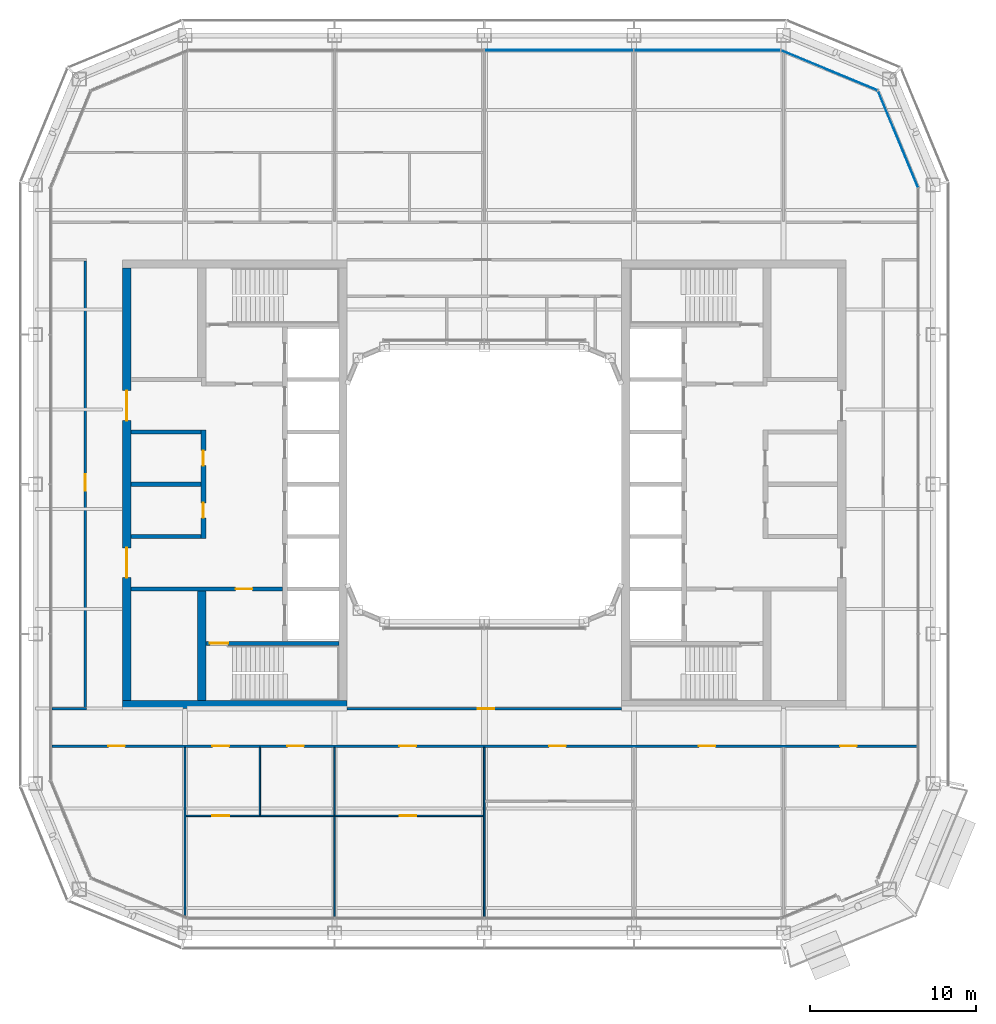
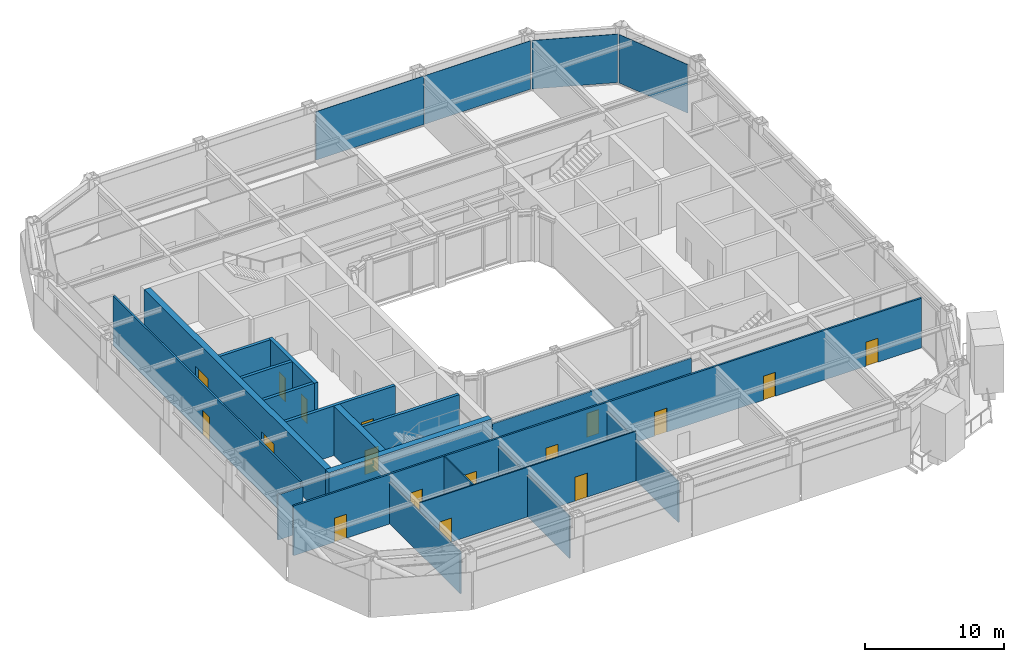
# One storey, part 12 of 22: 19 walls, 17 doors, 4 plates, 17 openings, 3 elements without a shape of their own.
"""IFC4 building model written with IfcOpenShell, lengths in metres."""

from ifc_helpers import new_model, si_unit, direction, frame, frame_2d, origin, origin_2d, place, context, subcontext, project, spatial, rectangle, extrude, material, layer, layer_set, type_object, element, fill, aggregate, save


model = new_model("IFC4")

# Units and contexts
model_context = context("Model", 3, precision=1e-05, world=origin(), true_north=direction((0.0, 1.0)))
body_context = subcontext(model_context, "Body", "Model", "MODEL_VIEW")
ifc_project = project(units=[si_unit("LENGTHUNIT", "METRE"), si_unit("AREAUNIT", "SQUARE_METRE"), si_unit("VOLUMEUNIT", "CUBIC_METRE"), si_unit("PLANEANGLEUNIT", "RADIAN"), si_unit("MASSUNIT", "GRAM", prefix="KILO")], contexts=[model_context])

# Site, building, storey
site_placement = place(None, origin())
site = spatial("IfcSite", under=ifc_project, at=site_placement, CompositionType="ELEMENT")
building_placement = place(site_placement, origin())
building = spatial("IfcBuilding", under=site, at=building_placement, Name="Siwar Civic Tower", CompositionType="ELEMENT")
storey_placement = place(building_placement, frame((0.0, 0.0, 219.699951171875)))
storey = spatial("IfcBuildingStorey", under=building, at=storey_placement, Name="L47", CompositionType="ELEMENT", Elevation=219.699951171875)

# Curtain wall, plates
ifc_material_1 = material(Name="Aluminium and glass", Category="aluminium")
ifc_layer_1 = layer(ifc_material_1, 0.179931640625)
ifc_layer_set_1 = layer_set([ifc_layer_1], Name="Aluminium and glass")
curtain_wall_type_1 = type_object("IfcCurtainWallType", Name="ENV-CW-C", PredefinedType="NOTDEFINED", material=ifc_layer_set_1)
curtain_wall_1_placement = place(storey_placement, origin())
curtain_wall_1 = element("IfcCurtainWall", 1, at=curtain_wall_1_placement, inside=storey, type_object=curtain_wall_type_1, Name="Curtain wall C N", PredefinedType="NOTDEFINED")
ifc_material_2 = material(Name="Glass clear laminated", Category="glass")
ifc_layer_2 = layer(ifc_material_2, 0.031982421875)
ifc_layer_set_2 = layer_set([ifc_layer_2], Name="Glass clear laminated")
plate_type_1 = type_object("IfcPlateType", Name="ENV-PANEL-C", PredefinedType="CURTAIN_PANEL", material=ifc_layer_set_2)
plate_1_placement = place(storey_placement, frame((13.410400390625, 26.10009765625, 0.10009765625), z_axis=(0.0, 0.0, 1.0), x_axis=(-1.0, 0.0, 0.0)))
plate_1 = element("IfcPlate", 2, at=plate_1_placement, type_object=plate_type_1, Name="Curtain panel C N 1", PredefinedType="CURTAIN_PANEL", context=body_context, shape_type="SweptSolid", body=[
    extrude(rectangle(XDim=8.760986328125, YDim=0.031982421875, at=origin_2d()), origin(), (0.0, 0.0, 1.0), 4.25),
])
plate_2_placement = place(storey_placement, frame((4.5, 26.10009765625, 0.10009765625), z_axis=(0.0, 0.0, 1.0), x_axis=(-1.0, 0.0, 0.0)))
plate_2 = element("IfcPlate", 3, at=plate_2_placement, type_object=plate_type_1, Name="Curtain panel C N 2", PredefinedType="CURTAIN_PANEL", context=body_context, shape_type="SweptSolid", body=[
    extrude(rectangle(XDim=8.93994140625, YDim=0.031982421875, at=origin_2d()), origin(), (0.0, 0.0, 1.0), 4.25),
])
aggregate(curtain_wall_1, [plate_1, plate_2])

# Curtain wall, plate
ifc_material_3 = material(Name="Aluminium clad insulated panel", Category="aluminium")
ifc_layer_3 = layer(ifc_material_3, 0.179931640625)
ifc_layer_set_3 = layer_set([ifc_layer_3], Name="Aluminium clad insulated panel")
curtain_wall_type_2 = type_object("IfcCurtainWallType", Name="ENV-CW-CX", PredefinedType="NOTDEFINED", material=ifc_layer_set_3)
curtain_wall_2_placement = place(storey_placement, origin())
curtain_wall_2 = element("IfcCurtainWall", 4, at=curtain_wall_2_placement, inside=storey, type_object=curtain_wall_type_2, Name="Curtain wall C NE1", PredefinedType="NOTDEFINED")
ifc_material_4 = material(Name="Aluminium clad insulated panel", Category="aluminium")
ifc_layer_4 = layer(ifc_material_4, 0.031982421875)
ifc_layer_set_4 = layer_set([ifc_layer_4], Name="Aluminium clad insulated panel")
plate_type_2 = type_object("IfcPlateType", Name="ENV-PANEL-CX", PredefinedType="CURTAIN_PANEL", material=ifc_layer_set_4)
plate_3_placement = place(storey_placement, frame((24.90185546875, 20.71337890625, 0.10009765625), z_axis=(0.0, 0.0, 1.0), x_axis=(-0.382683432365, 0.923879532511, 0.0)))
plate_3 = element("IfcPlate", 5, at=plate_3_placement, type_object=plate_type_2, Name="Curtain panel C NE1 1", PredefinedType="CURTAIN_PANEL", context=body_context, shape_type="SweptSolid", body=[
    extrude(rectangle(XDim=6.20166015625, YDim=0.031982421875, at=origin_2d()), origin(), (0.0, 0.0, 1.0), 4.25),
])
aggregate(curtain_wall_2, [plate_3])

curtain_wall_3_placement = place(storey_placement, origin())
curtain_wall_3 = element("IfcCurtainWall", 6, at=curtain_wall_3_placement, inside=storey, type_object=curtain_wall_type_2, Name="Curtain wall C NE2", PredefinedType="NOTDEFINED")
plate_4_placement = place(storey_placement, frame((20.78271484375, 24.873291015625, 0.10009765625), z_axis=(0.0, 0.0, 1.0), x_axis=(-0.923879532511, 0.382683432365, 0.0)))
plate_4 = element("IfcPlate", 7, at=plate_4_placement, type_object=plate_type_2, Name="Curtain panel C NE2 1", PredefinedType="CURTAIN_PANEL", context=body_context, shape_type="SweptSolid", body=[
    extrude(rectangle(XDim=6.20166015625, YDim=0.031982421875, at=origin_2d()), origin(), (0.0, 0.0, 1.0), 4.25),
])
aggregate(curtain_wall_3, [plate_4])

# Wall, opening, door
ifc_material_5 = material(Name="Concrete C60/75", Category="concrete")
ifc_layer_5 = layer(ifc_material_5, 0.25)
ifc_layer_set_5 = layer_set([ifc_layer_5], Name="Concrete C60/75")
wall_type_1 = type_object("IfcWallType", Name="CORE-WALL-RC250", PredefinedType="SHEAR", material=ifc_layer_set_5)
wall_1_placement = place(storey_placement, frame((-12.14990234375, -6.300048828125, 0.0), z_axis=(0.0, 0.0, 1.0), x_axis=(-1.0, 0.0, 0.0)))
wall_1 = element("IfcWall", 8, at=wall_1_placement, inside=storey, type_object=wall_type_1, Name="Core wall W", PredefinedType="SHEAR", context=body_context, shape_type="SweptSolid", body=[
    extrude(rectangle(XDim=9.10009765625, YDim=0.25, at=frame_2d((4.550048828125, 0.0))), origin(), (0.0, 0.0, 1.0), 4.35009765625),
])
opening_1_placement = place(wall_1_placement, frame((1.800048828125, 0.0, 0.0)))
opening_1 = element("IfcOpeningElement", 9, at=opening_1_placement, cuts=wall_1, Name="Opening L47-CW02", PredefinedType="OPENING", context=body_context, shape_type="SweptSolid", body=[
    extrude(rectangle(XDim=1.0, YDim=2.10009765625, at=frame_2d((0.5, 1.050048828125))), frame((0.0, 0.135009765625, 0.0), z_axis=(0.0, -1.0, 0.0), x_axis=(1.0, 0.0, 0.0)), (0.0, 0.0, 1.0), 0.27001953125),
])
ifc_material_6 = material(Name="Steel door leaf", Category="steel")
door_type_1 = type_object("IfcDoorType", Name="CORE-DOOR-FD30S", OperationType="SINGLE_SWING_LEFT", PredefinedType="DOOR", material=ifc_material_6)
door_1_placement = place(opening_1_placement, origin())
door_1 = element("IfcDoor", 10, at=door_1_placement, inside=storey, type_object=door_type_1, Name="Service lobby door L47-CW02", OperationType="SINGLE_SWING_RIGHT", OverallHeight=2.10009765625, OverallWidth=1.0, PredefinedType="DOOR", context=body_context, shape_type="SweptSolid", body=[
    extrude(rectangle(XDim=1.0, YDim=2.10009765625, at=frame_2d((0.5, 1.050048828125))), frame((0.0, 0.02490234375, 0.0), z_axis=(0.0, -1.0, 0.0), x_axis=(1.0, 0.0, 0.0)), (0.0, 0.0, 1.0), 0.050048828125),
])
fill(opening_1, door_1)

# Walls
for number, where, z_axis, x_axis, name in (
    (11, (-17.050048828125, 0.0, 0.0), (0.0, 0.0, 1.0), (-1.0, 0.0, 0.0), "Core wall W"),
    (12, (-17.050048828125, 3.14990234375, 0.0), (0.0, 0.0, 1.0), (-1.0, 0.0, 0.0), "Core wall W"),
    (13, (-17.050048828125, -3.14990234375, 0.0), (0.0, 0.0, 1.0), (-1.0, 0.0, 0.0), "Core wall W"),
):
    element("IfcWall", number, at=place(storey_placement, frame(where, z_axis=z_axis, x_axis=x_axis)), inside=storey, type_object=wall_type_1, Name=name, PredefinedType="SHEAR", context=body_context, shape_type="SweptSolid", body=[
        extrude(rectangle(XDim=4.199951171875, YDim=0.25, at=frame_2d((2.10009765625, 0.0))), origin(), (0.0, 0.0, 1.0), 4.35009765625),
    ])

# Wall, opening, door
wall_2_placement = place(storey_placement, frame((-8.75, -9.574951171875, 0.0), z_axis=(0.0, 0.0, 1.0), x_axis=(-1.0, 0.0, 0.0)))
wall_2 = element("IfcWall", 14, at=wall_2_placement, inside=storey, type_object=wall_type_1, Name="Core wall W", PredefinedType="SHEAR", context=body_context, shape_type="SweptSolid", body=[
    extrude(rectangle(XDim=8.0, YDim=0.25, at=frame_2d((4.0, 0.0))), origin(), (0.0, 0.0, 1.0), 4.35009765625),
])
opening_2_placement = place(wall_2_placement, frame((6.64990234375, 0.0, 0.0)))
opening_2 = element("IfcOpeningElement", 15, at=opening_2_placement, cuts=wall_2, Name="Opening L47-CW04", PredefinedType="OPENING", context=body_context, shape_type="SweptSolid", body=[
    extrude(rectangle(XDim=1.10009765625, YDim=2.10009765625, at=frame_2d((0.550048828125, 1.050048828125))), frame((0.0, 0.135009765625, 0.0), z_axis=(0.0, -1.0, 0.0), x_axis=(1.0, 0.0, 0.0)), (0.0, 0.0, 1.0), 0.27001953125),
])
ifc_material_7 = material(Name="Steel door leaf", Category="steel")
door_type_2 = type_object("IfcDoorType", Name="CORE-DOOR-FD60S", OperationType="SINGLE_SWING_LEFT", PredefinedType="DOOR", material=ifc_material_7)
door_2_placement = place(opening_2_placement, origin())
door_2 = element("IfcDoor", 16, at=door_2_placement, inside=storey, type_object=door_type_2, Name="Stair door L47-CW04", OperationType="SINGLE_SWING_LEFT", OverallHeight=2.10009765625, OverallWidth=1.10009765625, PredefinedType="DOOR", context=body_context, shape_type="SweptSolid", body=[
    extrude(rectangle(XDim=1.10009765625, YDim=2.10009765625, at=frame_2d((0.550048828125, 1.050048828125))), frame((0.0, 0.02490234375, 0.0), z_axis=(0.0, -1.0, 0.0), x_axis=(1.0, 0.0, 0.0)), (0.0, 0.0, 1.0), 0.050048828125),
])
fill(opening_2, door_2)

# Wall, openings, doors
ifc_material_8 = material(Name="Concrete C60/75", Category="concrete")
ifc_layer_6 = layer(ifc_material_8, 0.300048828125)
ifc_layer_set_6 = layer_set([ifc_layer_6], Name="Concrete C60/75")
wall_type_2 = type_object("IfcWallType", Name="CORE-WALL-RC300", PredefinedType="SHEAR", material=ifc_layer_set_6)
wall_3_placement = place(storey_placement, frame((-16.89990234375, -3.27490234375, 0.0), z_axis=(0.0, 0.0, 1.0), x_axis=(0.0, 1.0, 0.0)))
wall_3 = element("IfcWall", 17, at=wall_3_placement, inside=storey, type_object=wall_type_2, Name="Core wall W", PredefinedType="SHEAR", context=body_context, shape_type="SweptSolid", body=[
    extrude(rectangle(XDim=6.5498046875, YDim=0.300048828125, at=frame_2d((3.27490234375, 0.0))), origin(), (0.0, 0.0, 1.0), 4.35009765625),
])
opening_3_placement = place(wall_3_placement, frame((1.25, 0.0, 0.0)))
opening_3 = element("IfcOpeningElement", 18, at=opening_3_placement, cuts=wall_3, Name="Opening L47-CW13", PredefinedType="OPENING", context=body_context, shape_type="SweptSolid", body=[
    extrude(rectangle(XDim=0.89990234375, YDim=2.10009765625, at=frame_2d((0.449951171875, 1.050048828125))), frame((0.0, 0.16015625, 0.0), z_axis=(0.0, -1.0, 0.0), x_axis=(1.0, 0.0, 0.0)), (0.0, 0.0, 1.0), 0.320068359375),
])
opening_4_placement = place(wall_3_placement, frame((4.39990234375, 0.0, 0.0)))
opening_4 = element("IfcOpeningElement", 19, at=opening_4_placement, cuts=wall_3, Name="Opening L47-CW14", PredefinedType="OPENING", context=body_context, shape_type="SweptSolid", body=[
    extrude(rectangle(XDim=0.89990234375, YDim=2.10009765625, at=frame_2d((0.449951171875, 1.050048828125))), frame((0.0, 0.16015625, 0.0), z_axis=(0.0, -1.0, 0.0), x_axis=(1.0, 0.0, 0.0)), (0.0, 0.0, 1.0), 0.320068359375),
])
ifc_material_9 = material(Name="Steel door leaf", Category="steel")
door_type_3 = type_object("IfcDoorType", Name="CORE-DOOR-ROOM", OperationType="SINGLE_SWING_LEFT", PredefinedType="DOOR", material=ifc_material_9)
door_3_placement = place(opening_3_placement, origin())
door_3 = element("IfcDoor", 20, at=door_3_placement, inside=storey, type_object=door_type_3, Name="Core room door L47-CW13", OperationType="SINGLE_SWING_LEFT", OverallHeight=2.10009765625, OverallWidth=0.89990234375, PredefinedType="DOOR", context=body_context, shape_type="SweptSolid", body=[
    extrude(rectangle(XDim=0.89990234375, YDim=2.10009765625, at=frame_2d((0.449951171875, 1.050048828125))), frame((0.0, 0.02490234375, 0.0), z_axis=(0.0, -1.0, 0.0), x_axis=(1.0, 0.0, 0.0)), (0.0, 0.0, 1.0), 0.050048828125),
])
fill(opening_3, door_3)
door_4_placement = place(opening_4_placement, origin())
door_4 = element("IfcDoor", 21, at=door_4_placement, inside=storey, type_object=door_type_3, Name="Core room door L47-CW14", OperationType="SINGLE_SWING_RIGHT", OverallHeight=2.10009765625, OverallWidth=0.89990234375, PredefinedType="DOOR", context=body_context, shape_type="SweptSolid", body=[
    extrude(rectangle(XDim=0.89990234375, YDim=2.10009765625, at=frame_2d((0.449951171875, 1.050048828125))), frame((0.0, 0.02490234375, 0.0), z_axis=(0.0, -1.0, 0.0), x_axis=(1.0, 0.0, 0.0)), (0.0, 0.0, 1.0), 0.050048828125),
])
fill(opening_4, door_4)

ifc_material_10 = material(Name="Concrete C60/75", Category="concrete")
ifc_layer_7 = layer(ifc_material_10, 0.5)
ifc_layer_set_7 = layer_set([ifc_layer_7], Name="Concrete C60/75")
wall_type_3 = type_object("IfcWallType", Name="CORE-WALL-RC500", PredefinedType="SHEAR", material=ifc_layer_set_7)
wall_4_placement = place(storey_placement, frame((-21.5, -13.0, 0.0), z_axis=(0.0, 0.0, 1.0), x_axis=(0.0, 1.0, 0.0)))
wall_4 = element("IfcWall", 22, at=wall_4_placement, inside=storey, type_object=wall_type_3, Name="Core wall W", PredefinedType="SHEAR", context=body_context, shape_type="SweptSolid", body=[
    extrude(rectangle(XDim=26.0, YDim=0.5, at=frame_2d((13.0, 0.0))), origin(), (0.0, 0.0, 1.0), 4.35009765625),
])
opening_5_placement = place(wall_4_placement, frame((16.824951171875, 0.0, 0.0)))
opening_5 = element("IfcOpeningElement", 23, at=opening_5_placement, cuts=wall_4, Name="Opening L47-CW05", PredefinedType="OPENING", context=body_context, shape_type="SweptSolid", body=[
    extrude(rectangle(XDim=1.800048828125, YDim=2.10009765625, at=frame_2d((0.89990234375, 1.050048828125))), frame((0.0, 0.260009765625, 0.0), z_axis=(0.0, -1.0, 0.0), x_axis=(1.0, 0.0, 0.0)), (0.0, 0.0, 1.0), 0.52001953125),
])
opening_6_placement = place(wall_4_placement, frame((7.375, 0.0, 0.0)))
opening_6 = element("IfcOpeningElement", 24, at=opening_6_placement, cuts=wall_4, Name="Opening L47-CW06", PredefinedType="OPENING", context=body_context, shape_type="SweptSolid", body=[
    extrude(rectangle(XDim=1.800048828125, YDim=2.10009765625, at=frame_2d((0.89990234375, 1.050048828125))), frame((0.0, 0.260009765625, 0.0), z_axis=(0.0, -1.0, 0.0), x_axis=(1.0, 0.0, 0.0)), (0.0, 0.0, 1.0), 0.52001953125),
])
ifc_material_11 = material(Name="Steel door leaf", Category="steel")
door_type_4 = type_object("IfcDoorType", Name="CORE-DOOR-PORT", OperationType="DOUBLE_DOOR_DOUBLE_SWING", PredefinedType="DOOR", material=ifc_material_11)
door_5_placement = place(opening_5_placement, origin())
door_5 = element("IfcDoor", 25, at=door_5_placement, inside=storey, type_object=door_type_4, Name="Core entrance door L47-CW05", OperationType="DOUBLE_DOOR_DOUBLE_SWING", OverallHeight=2.10009765625, OverallWidth=1.800048828125, PredefinedType="DOOR", context=body_context, shape_type="SweptSolid", body=[
    extrude(rectangle(XDim=1.800048828125, YDim=2.10009765625, at=frame_2d((0.89990234375, 1.050048828125))), frame((0.0, 0.02490234375, 0.0), z_axis=(0.0, -1.0, 0.0), x_axis=(1.0, 0.0, 0.0)), (0.0, 0.0, 1.0), 0.050048828125),
])
fill(opening_5, door_5)
door_6_placement = place(opening_6_placement, origin())
door_6 = element("IfcDoor", 26, at=door_6_placement, inside=storey, type_object=door_type_4, Name="Core entrance door L47-CW06", OperationType="DOUBLE_DOOR_DOUBLE_SWING", OverallHeight=2.10009765625, OverallWidth=1.800048828125, PredefinedType="DOOR", context=body_context, shape_type="SweptSolid", body=[
    extrude(rectangle(XDim=1.800048828125, YDim=2.10009765625, at=frame_2d((0.89990234375, 1.050048828125))), frame((0.0, 0.02490234375, 0.0), z_axis=(0.0, -1.0, 0.0), x_axis=(1.0, 0.0, 0.0)), (0.0, 0.0, 1.0), 0.050048828125),
])
fill(opening_6, door_6)

# Walls
wall_5_placement = place(storey_placement, frame((-17.0, -13.0, 0.0), z_axis=(0.0, 0.0, 1.0), x_axis=(0.0, 1.0, 0.0)))
element("IfcWall", 27, at=wall_5_placement, inside=storey, type_object=wall_type_3, Name="Core wall W", PredefinedType="SHEAR", context=body_context, shape_type="SweptSolid", body=[
    extrude(rectangle(XDim=6.574951171875, YDim=0.5, at=frame_2d((3.28759765625, 0.0))), origin(), (0.0, 0.0, 1.0), 4.35009765625),
])
wall_6_placement = place(storey_placement, frame((-8.25, -13.25, 0.0), z_axis=(0.0, 0.0, 1.0), x_axis=(-1.0, 0.0, 0.0)))
element("IfcWall", 28, at=wall_6_placement, inside=storey, type_object=wall_type_3, Name="Core wall W", PredefinedType="SHEAR", context=body_context, shape_type="SweptSolid", body=[
    extrude(rectangle(XDim=13.5, YDim=0.5, at=frame_2d((6.75, 0.0))), origin(), (0.0, 0.0, 1.0), 4.35009765625),
])

# Wall, openings, doors
ifc_material_12 = material(Name="Gypsum board on steel studs", Category="steel")
ifc_layer_8 = layer(ifc_material_12, 0.14990234375)
ifc_layer_set_8 = layer_set([ifc_layer_8], Name="Gypsum board on steel studs")
wall_type_4 = type_object("IfcWallType", Name="CORRIDOR PARTITION 150 EI 30", PredefinedType="PARTITIONING", material=ifc_layer_set_8)
wall_7_placement = place(storey_placement, frame((-26.010009765625, -15.75, 0.0), z_axis=(0.0, 0.0, 1.0), x_axis=(1.0, 0.0, 0.0)))
wall_7 = element("IfcWall", 29, at=wall_7_placement, inside=storey, type_object=wall_type_4, Name="L47/wall/P03", PredefinedType="PARTITIONING", context=body_context, shape_type="SweptSolid", body=[
    extrude(rectangle(XDim=52.02001953125, YDim=0.14990234375, at=frame_2d((26.010009765625, 0.0))), origin(), (0.0, 0.0, 1.0), 4.35009765625),
])
opening_7_placement = place(wall_7_placement, frame((9.659912109375, 0.0, 0.0)))
opening_7 = element("IfcOpeningElement", 30, at=opening_7_placement, cuts=wall_7, Name="Opening D1", PredefinedType="OPENING", context=body_context, shape_type="SweptSolid", body=[
    extrude(rectangle(XDim=1.0, YDim=2.10009765625, at=frame_2d((0.5, 1.050048828125))), frame((0.0, 0.0849609375, 0.0), z_axis=(0.0, -1.0, 0.0), x_axis=(1.0, 0.0, 0.0)), (0.0, 0.0, 1.0), 0.169921875),
])
opening_8_placement = place(wall_7_placement, frame((14.159912109375, 0.0, 0.0)))
opening_8 = element("IfcOpeningElement", 31, at=opening_8_placement, cuts=wall_7, Name="Opening D1", PredefinedType="OPENING", context=body_context, shape_type="SweptSolid", body=[
    extrude(rectangle(XDim=1.0, YDim=2.10009765625, at=frame_2d((0.5, 1.050048828125))), frame((0.0, 0.0849609375, 0.0), z_axis=(0.0, -1.0, 0.0), x_axis=(1.0, 0.0, 0.0)), (0.0, 0.0, 1.0), 0.169921875),
])
opening_9_placement = place(wall_7_placement, frame((20.909912109375, 0.0, 0.0)))
opening_9 = element("IfcOpeningElement", 32, at=opening_9_placement, cuts=wall_7, Name="Opening D1", PredefinedType="OPENING", context=body_context, shape_type="SweptSolid", body=[
    extrude(rectangle(XDim=1.0, YDim=2.10009765625, at=frame_2d((0.5, 1.050048828125))), frame((0.0, 0.0849609375, 0.0), z_axis=(0.0, -1.0, 0.0), x_axis=(1.0, 0.0, 0.0)), (0.0, 0.0, 1.0), 0.169921875),
])
opening_10_placement = place(wall_7_placement, frame((29.909912109375, 0.0, 0.0)))
opening_10 = element("IfcOpeningElement", 33, at=opening_10_placement, cuts=wall_7, Name="Opening D1", PredefinedType="OPENING", context=body_context, shape_type="SweptSolid", body=[
    extrude(rectangle(XDim=1.0, YDim=2.10009765625, at=frame_2d((0.5, 1.050048828125))), frame((0.0, 0.0849609375, 0.0), z_axis=(0.0, -1.0, 0.0), x_axis=(1.0, 0.0, 0.0)), (0.0, 0.0, 1.0), 0.169921875),
])
opening_11_placement = place(wall_7_placement, frame((38.909912109375, 0.0, 0.0)))
opening_11 = element("IfcOpeningElement", 34, at=opening_11_placement, cuts=wall_7, Name="Opening D1", PredefinedType="OPENING", context=body_context, shape_type="SweptSolid", body=[
    extrude(rectangle(XDim=1.0, YDim=2.10009765625, at=frame_2d((0.5, 1.050048828125))), frame((0.0, 0.0849609375, 0.0), z_axis=(0.0, -1.0, 0.0), x_axis=(1.0, 0.0, 0.0)), (0.0, 0.0, 1.0), 0.169921875),
])
opening_12_placement = place(wall_7_placement, frame((3.39990234375, 0.0, 0.0)))
opening_12 = element("IfcOpeningElement", 35, at=opening_12_placement, cuts=wall_7, Name="Opening D1", PredefinedType="OPENING", context=body_context, shape_type="SweptSolid", body=[
    extrude(rectangle(XDim=1.0, YDim=2.10009765625, at=frame_2d((0.5, 1.050048828125))), frame((0.0, 0.0849609375, 0.0), z_axis=(0.0, -1.0, 0.0), x_axis=(1.0, 0.0, 0.0)), (0.0, 0.0, 1.0), 0.169921875),
])
opening_13_placement = place(wall_7_placement, frame((47.409912109375, 0.0, 0.0)))
opening_13 = element("IfcOpeningElement", 36, at=opening_13_placement, cuts=wall_7, Name="Opening D1", PredefinedType="OPENING", context=body_context, shape_type="SweptSolid", body=[
    extrude(rectangle(XDim=1.0, YDim=2.10009765625, at=frame_2d((0.5, 1.050048828125))), frame((0.0, 0.0849609375, 0.0), z_axis=(0.0, -1.0, 0.0), x_axis=(1.0, 0.0, 0.0)), (0.0, 0.0, 1.0), 0.169921875),
])
ifc_material_13 = material(Name="Timber, painted", Category="wood")
door_type_5 = type_object("IfcDoorType", Name="DOOR 1000 X 2100 FD30", OperationType="SINGLE_SWING_LEFT", PredefinedType="DOOR", material=ifc_material_13)
door_7_placement = place(opening_7_placement, origin())
door_7 = element("IfcDoor", 37, at=door_7_placement, inside=storey, type_object=door_type_5, Name="L47-D09", OperationType="SINGLE_SWING_LEFT", OverallHeight=2.10009765625, OverallWidth=1.0, PredefinedType="DOOR", context=body_context, shape_type="SweptSolid", body=[
    extrude(rectangle(XDim=1.0, YDim=2.10009765625, at=frame_2d((0.5, 1.050048828125))), frame((0.0, 0.02490234375, 0.0), z_axis=(0.0, -1.0, 0.0), x_axis=(1.0, 0.0, 0.0)), (0.0, 0.0, 1.0), 0.050048828125),
])
fill(opening_7, door_7)
door_8_placement = place(opening_8_placement, origin())
door_8 = element("IfcDoor", 38, at=door_8_placement, inside=storey, type_object=door_type_5, Name="L47-D10", OperationType="SINGLE_SWING_RIGHT", OverallHeight=2.10009765625, OverallWidth=1.0, PredefinedType="DOOR", context=body_context, shape_type="SweptSolid", body=[
    extrude(rectangle(XDim=1.0, YDim=2.10009765625, at=frame_2d((0.5, 1.050048828125))), frame((0.0, 0.02490234375, 0.0), z_axis=(0.0, -1.0, 0.0), x_axis=(1.0, 0.0, 0.0)), (0.0, 0.0, 1.0), 0.050048828125),
])
fill(opening_8, door_8)
door_9_placement = place(opening_9_placement, origin())
door_9 = element("IfcDoor", 39, at=door_9_placement, inside=storey, type_object=door_type_5, Name="L47-D12", OperationType="SINGLE_SWING_RIGHT", OverallHeight=2.10009765625, OverallWidth=1.0, PredefinedType="DOOR", context=body_context, shape_type="SweptSolid", body=[
    extrude(rectangle(XDim=1.0, YDim=2.10009765625, at=frame_2d((0.5, 1.050048828125))), frame((0.0, 0.02490234375, 0.0), z_axis=(0.0, -1.0, 0.0), x_axis=(1.0, 0.0, 0.0)), (0.0, 0.0, 1.0), 0.050048828125),
])
fill(opening_9, door_9)
door_10_placement = place(opening_10_placement, origin())
door_10 = element("IfcDoor", 40, at=door_10_placement, inside=storey, type_object=door_type_5, Name="L47-D14", OperationType="SINGLE_SWING_RIGHT", OverallHeight=2.10009765625, OverallWidth=1.0, PredefinedType="DOOR", context=body_context, shape_type="SweptSolid", body=[
    extrude(rectangle(XDim=1.0, YDim=2.10009765625, at=frame_2d((0.5, 1.050048828125))), frame((0.0, 0.02490234375, 0.0), z_axis=(0.0, -1.0, 0.0), x_axis=(1.0, 0.0, 0.0)), (0.0, 0.0, 1.0), 0.050048828125),
])
fill(opening_10, door_10)
door_11_placement = place(opening_11_placement, origin())
door_11 = element("IfcDoor", 41, at=door_11_placement, inside=storey, type_object=door_type_5, Name="L47-D16", OperationType="SINGLE_SWING_RIGHT", OverallHeight=2.10009765625, OverallWidth=1.0, PredefinedType="DOOR", context=body_context, shape_type="SweptSolid", body=[
    extrude(rectangle(XDim=1.0, YDim=2.10009765625, at=frame_2d((0.5, 1.050048828125))), frame((0.0, 0.02490234375, 0.0), z_axis=(0.0, -1.0, 0.0), x_axis=(1.0, 0.0, 0.0)), (0.0, 0.0, 1.0), 0.050048828125),
])
fill(opening_11, door_11)
door_12_placement = place(opening_12_placement, origin())
door_12 = element("IfcDoor", 42, at=door_12_placement, inside=storey, type_object=door_type_5, Name="L47-D20", OperationType="SINGLE_SWING_RIGHT", OverallHeight=2.10009765625, OverallWidth=1.0, PredefinedType="DOOR", context=body_context, shape_type="SweptSolid", body=[
    extrude(rectangle(XDim=1.0, YDim=2.10009765625, at=frame_2d((0.5, 1.050048828125))), frame((0.0, 0.02490234375, 0.0), z_axis=(0.0, -1.0, 0.0), x_axis=(1.0, 0.0, 0.0)), (0.0, 0.0, 1.0), 0.050048828125),
])
fill(opening_12, door_12)
door_13_placement = place(opening_13_placement, origin())
door_13 = element("IfcDoor", 43, at=door_13_placement, inside=storey, type_object=door_type_5, Name="L47-D21", OperationType="SINGLE_SWING_LEFT", OverallHeight=2.10009765625, OverallWidth=1.0, PredefinedType="DOOR", context=body_context, shape_type="SweptSolid", body=[
    extrude(rectangle(XDim=1.0, YDim=2.10009765625, at=frame_2d((0.5, 1.050048828125))), frame((0.0, 0.02490234375, 0.0), z_axis=(0.0, -1.0, 0.0), x_axis=(1.0, 0.0, 0.0)), (0.0, 0.0, 1.0), 0.050048828125),
])
fill(opening_13, door_13)

# Wall
wall_8_placement = place(storey_placement, frame((-26.010009765625, -13.5, 0.0), z_axis=(0.0, 0.0, 1.0), x_axis=(1.0, 0.0, 0.0)))
element("IfcWall", 44, at=wall_8_placement, inside=storey, type_object=wall_type_4, Name="L47/wall/P04", PredefinedType="PARTITIONING", context=body_context, shape_type="SweptSolid", body=[
    extrude(rectangle(XDim=2.0849609375, YDim=0.14990234375, at=frame_2d((1.04248046875, 0.0))), origin(), (0.0, 0.0, 1.0), 3.949951171875),
])

# Wall, opening, door
wall_9_placement = place(storey_placement, frame((-8.25, -13.5, 0.0), z_axis=(0.0, 0.0, 1.0), x_axis=(1.0, 0.0, 0.0)))
wall_9 = element("IfcWall", 45, at=wall_9_placement, inside=storey, type_object=wall_type_4, Name="L47/wall/P05", PredefinedType="PARTITIONING", context=body_context, shape_type="SweptSolid", body=[
    extrude(rectangle(XDim=16.5, YDim=0.14990234375, at=frame_2d((8.25, 0.0))), origin(), (0.0, 0.0, 1.0), 3.949951171875),
])
opening_14_placement = place(wall_9_placement, frame((7.85009765625, 0.0, 0.0)))
opening_14 = element("IfcOpeningElement", 46, at=opening_14_placement, cuts=wall_9, Name="Opening D1", PredefinedType="OPENING", context=body_context, shape_type="SweptSolid", body=[
    extrude(rectangle(XDim=1.0, YDim=2.10009765625, at=frame_2d((0.5, 1.050048828125))), frame((0.0, 0.0849609375, 0.0), z_axis=(0.0, -1.0, 0.0), x_axis=(1.0, 0.0, 0.0)), (0.0, 0.0, 1.0), 0.169921875),
])
door_14_placement = place(opening_14_placement, origin())
door_14 = element("IfcDoor", 47, at=door_14_placement, inside=storey, type_object=door_type_5, Name="L47-D29", OperationType="SINGLE_SWING_LEFT", OverallHeight=2.10009765625, OverallWidth=1.0, PredefinedType="DOOR", context=body_context, shape_type="SweptSolid", body=[
    extrude(rectangle(XDim=1.0, YDim=2.10009765625, at=frame_2d((0.5, 1.050048828125))), frame((0.0, 0.02490234375, 0.0), z_axis=(0.0, -1.0, 0.0), x_axis=(1.0, 0.0, 0.0)), (0.0, 0.0, 1.0), 0.050048828125),
])
fill(opening_14, door_14)

wall_10_placement = place(storey_placement, frame((-24.0, -13.425048828125, 0.0), z_axis=(0.0, 0.0, 1.0), x_axis=(0.0, 1.0, 0.0)))
wall_10 = element("IfcWall", 48, at=wall_10_placement, inside=storey, type_object=wall_type_4, Name="L47/wall/P14", PredefinedType="PARTITIONING", context=body_context, shape_type="SweptSolid", body=[
    extrude(rectangle(XDim=26.85009765625, YDim=0.14990234375, at=frame_2d((13.425048828125, 0.0))), origin(), (0.0, 0.0, 1.0), 4.35009765625),
])
opening_15_placement = place(wall_10_placement, frame((13.02490234375, 0.0, 0.0)))
opening_15 = element("IfcOpeningElement", 49, at=opening_15_placement, cuts=wall_10, Name="Opening D1", PredefinedType="OPENING", context=body_context, shape_type="SweptSolid", body=[
    extrude(rectangle(XDim=1.0, YDim=2.10009765625, at=frame_2d((0.5, 1.050048828125))), frame((0.0, 0.0849609375, 0.0), z_axis=(0.0, -1.0, 0.0), x_axis=(1.0, 0.0, 0.0)), (0.0, 0.0, 1.0), 0.169921875),
])
door_15_placement = place(opening_15_placement, origin())
door_15 = element("IfcDoor", 50, at=door_15_placement, inside=storey, type_object=door_type_5, Name="L47-D22", OperationType="SINGLE_SWING_RIGHT", OverallHeight=2.10009765625, OverallWidth=1.0, PredefinedType="DOOR", context=body_context, shape_type="SweptSolid", body=[
    extrude(rectangle(XDim=1.0, YDim=2.10009765625, at=frame_2d((0.5, 1.050048828125))), frame((0.0, 0.02490234375, 0.0), z_axis=(0.0, -1.0, 0.0), x_axis=(1.0, 0.0, 0.0)), (0.0, 0.0, 1.0), 0.050048828125),
])
fill(opening_15, door_15)

# Wall, openings, doors
ifc_material_14 = material(Name="Gypsum board on steel studs", Category="steel")
ifc_layer_9 = layer(ifc_material_14, 0.10009765625)
ifc_layer_set_9 = layer_set([ifc_layer_9], Name="Gypsum board on steel studs")
wall_type_5 = type_object("IfcWallType", Name="PARTITION 100 GYPSUM", PredefinedType="PARTITIONING", material=ifc_layer_set_9)
wall_11_placement = place(storey_placement, frame((-17.949951171875, -19.949951171875, 0.0), z_axis=(0.0, 0.0, 1.0), x_axis=(1.0, 0.0, 0.0)))
wall_11 = element("IfcWall", 51, at=wall_11_placement, inside=storey, type_object=wall_type_5, Name="L47/wall/P01", PredefinedType="PARTITIONING", context=body_context, shape_type="SweptSolid", body=[
    extrude(rectangle(XDim=17.89990234375, YDim=0.10009765625, at=frame_2d((8.949951171875, 0.0))), origin(), (0.0, 0.0, 1.0), 4.35009765625),
])
opening_16_placement = place(wall_11_placement, frame((1.60009765625, 0.0, 0.0)))
opening_16 = element("IfcOpeningElement", 52, at=opening_16_placement, cuts=wall_11, Name="Opening D2", PredefinedType="OPENING", context=body_context, shape_type="SweptSolid", body=[
    extrude(rectangle(XDim=1.0, YDim=2.10009765625, at=frame_2d((0.5, 1.050048828125))), frame((0.0, 0.06005859375, 0.0), z_axis=(0.0, -1.0, 0.0), x_axis=(1.0, 0.0, 0.0)), (0.0, 0.0, 1.0), 0.1201171875),
])
opening_17_placement = place(wall_11_placement, frame((12.85009765625, 0.0, 0.0)))
opening_17 = element("IfcOpeningElement", 53, at=opening_17_placement, cuts=wall_11, Name="Opening D2", PredefinedType="OPENING", context=body_context, shape_type="SweptSolid", body=[
    extrude(rectangle(XDim=1.0, YDim=2.10009765625, at=frame_2d((0.5, 1.050048828125))), frame((0.0, 0.06005859375, 0.0), z_axis=(0.0, -1.0, 0.0), x_axis=(1.0, 0.0, 0.0)), (0.0, 0.0, 1.0), 0.1201171875),
])
ifc_material_15 = material(Name="Timber, painted", Category="wood")
door_type_6 = type_object("IfcDoorType", Name="DOOR 1000 X 2100", OperationType="SINGLE_SWING_LEFT", PredefinedType="DOOR", material=ifc_material_15)
door_16_placement = place(opening_16_placement, origin())
door_16 = element("IfcDoor", 54, at=door_16_placement, inside=storey, type_object=door_type_6, Name="L47-D11", OperationType="SINGLE_SWING_LEFT", OverallHeight=2.10009765625, OverallWidth=1.0, PredefinedType="DOOR", context=body_context, shape_type="SweptSolid", body=[
    extrude(rectangle(XDim=1.0, YDim=2.10009765625, at=frame_2d((0.5, 1.050048828125))), frame((0.0, 0.02490234375, 0.0), z_axis=(0.0, -1.0, 0.0), x_axis=(1.0, 0.0, 0.0)), (0.0, 0.0, 1.0), 0.050048828125),
])
fill(opening_16, door_16)
door_17_placement = place(opening_17_placement, origin())
door_17 = element("IfcDoor", 55, at=door_17_placement, inside=storey, type_object=door_type_6, Name="L47-D13", OperationType="SINGLE_SWING_LEFT", OverallHeight=2.10009765625, OverallWidth=1.0, PredefinedType="DOOR", context=body_context, shape_type="SweptSolid", body=[
    extrude(rectangle(XDim=1.0, YDim=2.10009765625, at=frame_2d((0.5, 1.050048828125))), frame((0.0, 0.02490234375, 0.0), z_axis=(0.0, -1.0, 0.0), x_axis=(1.0, 0.0, 0.0)), (0.0, 0.0, 1.0), 0.050048828125),
])
fill(opening_17, door_17)

# Walls
wall_12_placement = place(storey_placement, frame((-18.0, -25.927978515625, 0.0), z_axis=(0.0, 0.0, 1.0), x_axis=(0.0, 1.0, 0.0)))
element("IfcWall", 56, at=wall_12_placement, inside=storey, type_object=wall_type_5, Name="L47/wall/P15", PredefinedType="PARTITIONING", context=body_context, shape_type="SweptSolid", body=[
    extrude(rectangle(XDim=10.10302734375, YDim=0.10009765625, at=frame_2d((5.051513671875, 0.0))), origin(), (0.0, 0.0, 1.0), 3.650146484375),
])
wall_13_placement = place(storey_placement, frame((-13.5, -19.89990234375, 0.0), z_axis=(0.0, 0.0, 1.0), x_axis=(0.0, 1.0, 0.0)))
element("IfcWall", 57, at=wall_13_placement, inside=storey, type_object=wall_type_5, Name="L47/wall/P18", PredefinedType="PARTITIONING", context=body_context, shape_type="SweptSolid", body=[
    extrude(rectangle(XDim=4.074951171875, YDim=0.10009765625, at=frame_2d((2.03759765625, 0.0))), origin(), (0.0, 0.0, 1.0), 4.35009765625),
])
wall_14_placement = place(storey_placement, frame((-9.0, -26.010009765625, 0.0), z_axis=(0.0, 0.0, 1.0), x_axis=(0.0, 1.0, 0.0)))
element("IfcWall", 58, at=wall_14_placement, inside=storey, type_object=wall_type_5, Name="L47/wall/P20", PredefinedType="PARTITIONING", context=body_context, shape_type="SweptSolid", body=[
    extrude(rectangle(XDim=6.010009765625, YDim=0.10009765625, at=frame_2d((3.0048828125, 0.0))), origin(), (0.0, 0.0, 1.0), 3.650146484375),
])
wall_15_placement = place(storey_placement, frame((-9.0, -19.89990234375, 0.0), z_axis=(0.0, 0.0, 1.0), x_axis=(0.0, 1.0, 0.0)))
element("IfcWall", 59, at=wall_15_placement, inside=storey, type_object=wall_type_5, Name="L47/wall/P21", PredefinedType="PARTITIONING", context=body_context, shape_type="SweptSolid", body=[
    extrude(rectangle(XDim=4.074951171875, YDim=0.10009765625, at=frame_2d((2.03759765625, 0.0))), origin(), (0.0, 0.0, 1.0), 3.650146484375),
])
wall_16_placement = place(storey_placement, frame((0.0, -26.010009765625, 0.0), z_axis=(0.0, 0.0, 1.0), x_axis=(0.0, 1.0, 0.0)))
element("IfcWall", 60, at=wall_16_placement, inside=storey, type_object=wall_type_5, Name="L47/wall/P26", PredefinedType="PARTITIONING", context=body_context, shape_type="SweptSolid", body=[
    extrude(rectangle(XDim=10.18505859375, YDim=0.10009765625, at=frame_2d((5.092529296875, 0.0))), origin(), (0.0, 0.0, 1.0), 3.550048828125),
])

save(model, "model.ifc")
